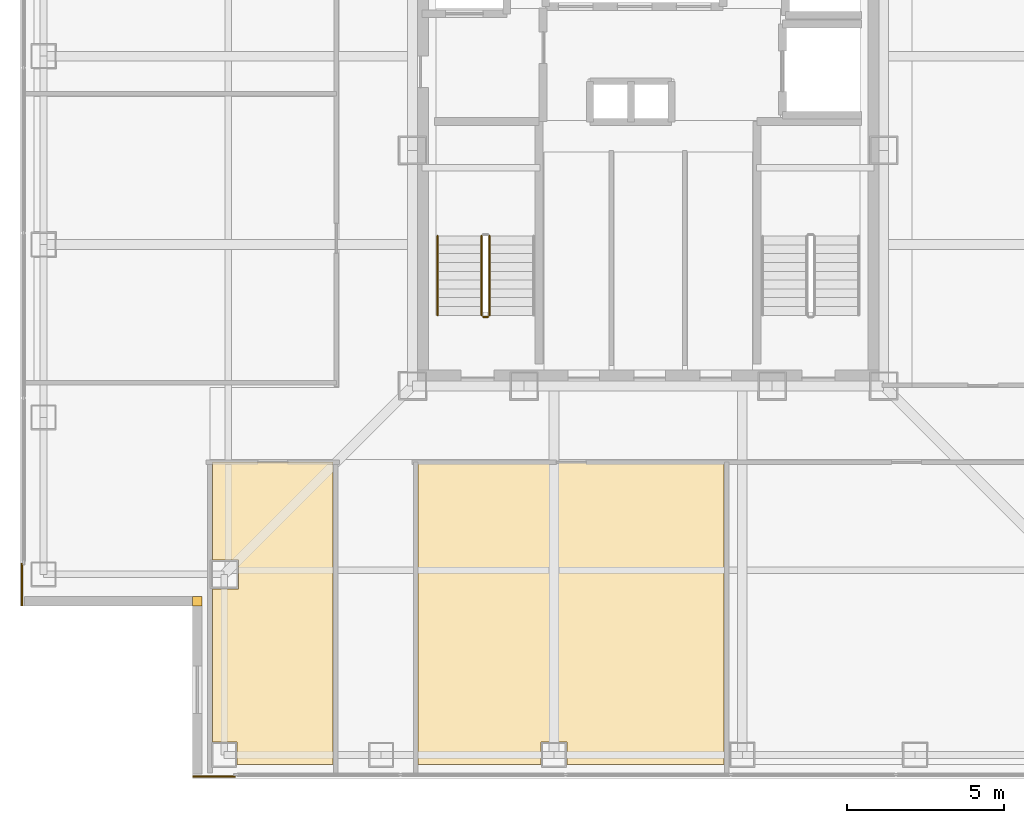
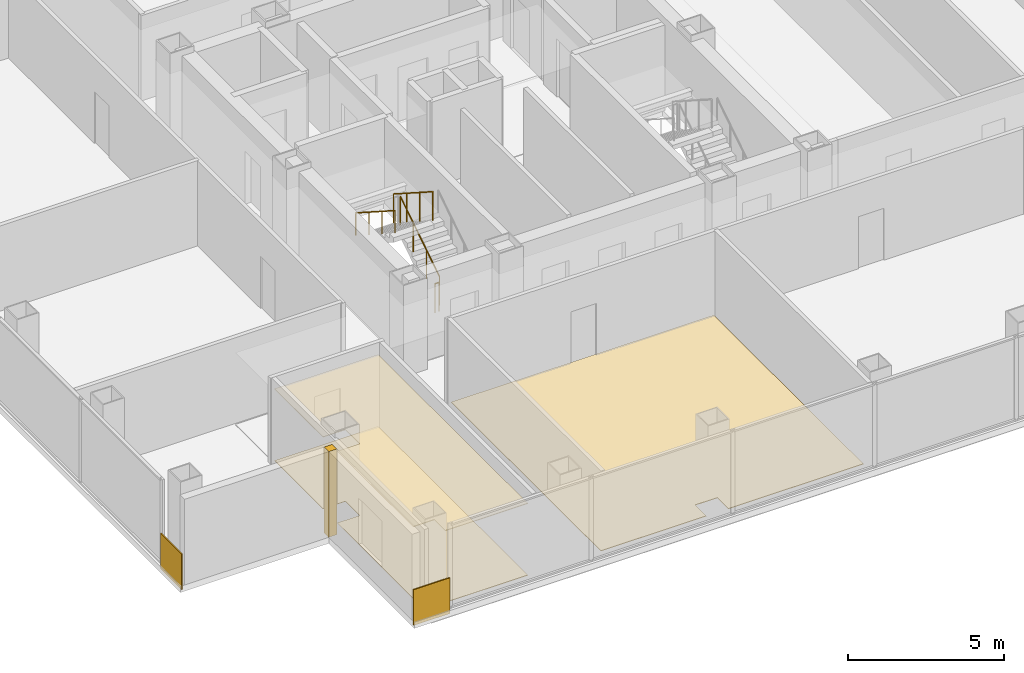
# One storey, part 13 of 18: 6 coverings, 4 railings.
"""IFC4 building model written with IfcOpenShell, lengths in metres."""

from ifc_helpers import new_model, si_unit, direction, frame, frame_2d, origin, origin_2d, place, context, subcontext, project, spatial, polyline, rectangle, circle, outline, extrude, material, layer, layer_set, type_object, element, save


model = new_model("IFC4")

# Units and contexts
model_context = context("Model", 3, precision=1e-05, world=origin(), true_north=direction((0.0, 1.0)))
body_context = subcontext(model_context, "Body", "Model", "MODEL_VIEW")
ifc_project = project(units=[si_unit("LENGTHUNIT", "METRE"), si_unit("AREAUNIT", "SQUARE_METRE"), si_unit("VOLUMEUNIT", "CUBIC_METRE"), si_unit("PLANEANGLEUNIT", "RADIAN"), si_unit("MASSUNIT", "GRAM", prefix="KILO")], contexts=[model_context])

# Site, building, storey
site_placement = place(None, origin())
site = spatial("IfcSite", under=ifc_project, at=site_placement, CompositionType="ELEMENT")
building_placement = place(site_placement, origin())
building = spatial("IfcBuilding", under=site, at=building_placement, Name="Trevonay Congress Spire", CompositionType="ELEMENT")
storey_placement = place(building_placement, frame((0.0, 0.0, 220.199951171875)))
storey = spatial("IfcBuildingStorey", under=building, at=storey_placement, Name="L57", CompositionType="ELEMENT", Elevation=220.199951171875)

# Coverings
ifc_material_1 = material(Name="Acoustic Mineral Fibre Board", Category="gypsum")
ifc_layer_1 = layer(ifc_material_1, 0.02490234375, Name="Acoustic Mineral Fibre Board")
ifc_layer_set_1 = layer_set([ifc_layer_1], Name="Acoustic Mineral Fibre Board")
covering_type_1 = type_object("IfcCoveringType", Name="COV-CEIL-ACOUSTIC", PredefinedType="CEILING", material=ifc_layer_set_1)
covering_1_placement = place(storey_placement, frame((0.0, 0.0, 2.81005859375)))
element("IfcCovering", 1, at=covering_1_placement, inside=storey, type_object=covering_type_1, Name="L57 VIP Buyer Reception Salon acoustic suspended ceiling", PredefinedType="CEILING", context=body_context, shape_type="SweptSolid", body=[
    extrude(outline(polyline([(-13.8701171875, -9.929931640625), (-10.030029296875, -9.929931640625), (-10.030029296875, -19.550048828125), (-13.090087890625, -19.550048828125), (-13.090087890625, -18.840087890625), (-13.8701171875, -18.840087890625), (-13.8701171875, -13.9599609375), (-13.0400390625, -13.9599609375), (-13.0400390625, -13.0400390625), (-13.8701171875, -13.0400390625), (-13.8701171875, -9.929931640625)])), origin(), (0.0, 0.0, 1.0), 0.02490234375),
])
ifc_material_2 = material(Name="Polished Granite Floor Tile", Category="masonry")
ifc_layer_2 = layer(ifc_material_2, 0.02001953125, Name="Polished Granite Floor Tile")
ifc_layer_set_2 = layer_set([ifc_layer_2], Name="Polished Granite Floor Tile")
covering_type_2 = type_object("IfcCoveringType", Name="COV-FLOOR-STONE", PredefinedType="FLOORING", material=ifc_layer_set_2)
covering_2_placement = place(storey_placement, origin())
element("IfcCovering", 2, at=covering_2_placement, inside=storey, type_object=covering_type_2, Name="L57 Brazilian Design Flagship Showroom Shop floor finish", PredefinedType="FLOORING", context=body_context, shape_type="SweptSolid", body=[
    extrude(outline(polyline([(-7.320068359375, -19.550048828125), (-7.320068359375, -9.929931640625), (2.419921875, -9.929931640625), (2.419921875, -19.550048828125), (-2.590087890625, -19.550048828125), (-2.590087890625, -18.840087890625), (-3.409912109375, -18.840087890625), (-3.409912109375, -19.550048828125), (-7.320068359375, -19.550048828125)])), origin(), (0.0, 0.0, 1.0), 0.02001953125),
])
ifc_material_3 = material(Name="Engineered Oak Flooring", Category="wood")
ifc_layer_3 = layer(ifc_material_3, 0.01806640625, Name="Engineered Oak Flooring")
ifc_layer_set_3 = layer_set([ifc_layer_3], Name="Engineered Oak Flooring")
covering_type_3 = type_object("IfcCoveringType", Name="COV-FLOOR-TIMBER", PredefinedType="FLOORING", material=ifc_layer_set_3)
covering_3_placement = place(storey_placement, origin())
element("IfcCovering", 3, at=covering_3_placement, inside=storey, type_object=covering_type_3, Name="L57 VIP Buyer Reception Salon floor finish", PredefinedType="FLOORING", context=body_context, shape_type="SweptSolid", body=[
    extrude(outline(polyline([(-13.8701171875, -9.929931640625), (-10.030029296875, -9.929931640625), (-10.030029296875, -19.550048828125), (-13.090087890625, -19.550048828125), (-13.090087890625, -18.840087890625), (-13.8701171875, -18.840087890625), (-13.8701171875, -13.9599609375), (-13.0400390625, -13.9599609375), (-13.0400390625, -13.0400390625), (-13.8701171875, -13.0400390625), (-13.8701171875, -9.929931640625)])), origin(), (0.0, 0.0, 1.0), 0.01806640625),
])
ifc_material_4 = material(Name="Pale Anodised Aluminium EN AW-6063-T6", Category="aluminium")
ifc_layer_4 = layer(ifc_material_4, 0.0400390625, Name="Pale Anodised Aluminium EN AW-6063-T6")
ifc_layer_set_4 = layer_set([ifc_layer_4], Name="Pale Anodised Aluminium EN AW-6063-T6")
covering_type_4 = type_object("IfcCoveringType", Name="COV-SPANDREL-PALE-METAL", PredefinedType="CLADDING", material=ifc_layer_set_4)
covering_4_placement = place(storey_placement, origin())
element("IfcCovering", 4, at=covering_4_placement, inside=storey, type_object=covering_type_4, Name="L57 SW re-entrant notch corner closure trim", PredefinedType="CLADDING", context=body_context, shape_type="SweptSolid", body=[
    extrude(outline(polyline([(-14.5, -14.5), (-14.199951171875, -14.5), (-14.199951171875, -14.199951171875), (-14.5, -14.199951171875), (-14.5, -14.5)])), origin(), (0.0, 0.0, 1.0), 3.360107421875),
])
for number, where, z_axis, x_axis, name in (
    (5, (-19.93994140625, -13.14990234375, -0.14990234375), (0.0, 0.0, 1.0), (0.0, -1.0, 0.0), "L57 SW corner pier spandrel cladding 1"),
    (6, (-13.14990234375, -19.93994140625, -0.14990234375), (0.0, 0.0, 1.0), (-1.0, 0.0, 0.0), "L57 SW corner pier spandrel cladding 2"),
):
    element("IfcCovering", number, at=place(storey_placement, frame(where, z_axis=z_axis, x_axis=x_axis)), inside=storey, type_object=covering_type_4, Name=name, PredefinedType="CLADDING", context=body_context, shape_type="SweptSolid", body=[
        extrude(rectangle(XDim=1.35009765625, YDim=0.0400390625, at=frame_2d((0.675048828125, 0.0))), origin(), (0.0, 0.0, 1.0), 1.39990234375),
    ])

# Railings
railing_type_1 = type_object("IfcRailingType", Name="RAL-STAIR-GUARD-110", PredefinedType="GUARDRAIL", material=ifc_material_4)
railing_1_placement = place(storey_placement, frame((-5.050048828125, -5.25, 0.179931640625)))
element("IfcRailing", 7, at=railing_1_placement, inside=storey, type_object=railing_type_1, Name="L57 ST-1 stair guard 1", PredefinedType="GUARDRAIL", context=body_context, shape_type="SweptSolid", body=[
    extrude(circle(Radius=0.02392578125, at=origin_2d()), frame((0.0, 0.0, 1.1259765625), z_axis=(0.0, 0.841162588446, 0.540782303519), x_axis=(-1.0, 0.0, 0.0)), (0.0, 0.0, 1.0), 2.995849609375),
    extrude(circle(Radius=0.02099609375, at=origin_2d()), origin(), (0.0, 0.0, 1.0), 1.101806640625),
    extrude(circle(Radius=0.02099609375, at=origin_2d()), frame((0.0, 0.840087890625, 0.5400390625)), (0.0, 0.0, 1.0), 1.101806640625),
    extrude(circle(Radius=0.02099609375, at=origin_2d()), frame((0.0, 1.679931640625, 1.080078125)), (0.0, 0.0, 1.0), 1.101806640625),
    extrude(circle(Radius=0.02099609375, at=origin_2d()), frame((0.0, 2.52001953125, 1.6201171875)), (0.0, 0.0, 1.0), 1.101806640625),
])
railing_2_placement = place(storey_placement, frame((-5.300048828125, -2.72998046875, 1.97998046875)))
element("IfcRailing", 8, at=railing_2_placement, inside=storey, type_object=railing_type_1, Name="L57 ST-1 stair guard 3", PredefinedType="GUARDRAIL", context=body_context, shape_type="SweptSolid", body=[
    extrude(circle(Radius=0.02392578125, at=origin_2d()), frame((0.0, 0.0, 1.1259765625), z_axis=(0.0, -0.841162588446, 0.540782303519), x_axis=(1.0, 0.0, 0.0)), (0.0, 0.0, 1.0), 2.995849609375),
    extrude(circle(Radius=0.02099609375, at=origin_2d()), origin(), (0.0, 0.0, 1.0), 1.101806640625),
    extrude(circle(Radius=0.02099609375, at=origin_2d()), frame((0.0, -0.840087890625, 0.5400390625)), (0.0, 0.0, 1.0), 1.101806640625),
    extrude(circle(Radius=0.02099609375, at=origin_2d()), frame((0.0, -1.679931640625, 1.080078125)), (0.0, 0.0, 1.0), 1.101806640625),
    extrude(circle(Radius=0.02099609375, at=origin_2d()), frame((0.0, -2.52001953125, 1.6201171875)), (0.0, 0.0, 1.0), 1.101806640625),
])
railing_3_placement = place(storey_placement, frame((-5.10009765625, -5.300048828125, 0.0)))
element("IfcRailing", 9, at=railing_3_placement, inside=storey, type_object=railing_type_1, Name="L57 ST-1 stair guard 4", PredefinedType="GUARDRAIL", context=body_context, shape_type="SweptSolid", body=[
    extrude(circle(Radius=0.02392578125, at=origin_2d()), frame((0.0, 0.0, 1.1259765625), z_axis=(-1.0, 0.0, 0.0), x_axis=(0.0, -1.0, 0.0)), (0.0, 0.0, 1.0), 0.14990234375),
    extrude(circle(Radius=0.02099609375, at=origin_2d()), origin(), (0.0, 0.0, 1.0), 1.101806640625),
    extrude(circle(Radius=0.02099609375, at=origin_2d()), frame((-0.14990234375, 0.0, 0.0)), (0.0, 0.0, 1.0), 1.101806640625),
])
railing_type_2 = type_object("IfcRailingType", Name="RAL-STAIR-HANDRAIL", PredefinedType="HANDRAIL", material=ifc_material_4)
railing_4_placement = place(storey_placement, frame((-6.699951171875, -2.72998046875, 1.97998046875)))
element("IfcRailing", 10, at=railing_4_placement, inside=storey, type_object=railing_type_2, Name="L57 ST-1 stair handrail 2", PredefinedType="HANDRAIL", context=body_context, shape_type="SweptSolid", body=[
    extrude(circle(Radius=0.02392578125, at=origin_2d()), frame((0.0, 0.0, 0.8759765625), z_axis=(0.0, -0.841162588446, 0.540782303519), x_axis=(1.0, 0.0, 0.0)), (0.0, 0.0, 1.0), 2.995849609375),
    extrude(circle(Radius=0.02099609375, at=origin_2d()), origin(), (0.0, 0.0, 1.0), 0.851806640625),
    extrude(circle(Radius=0.02099609375, at=origin_2d()), frame((0.0, -0.840087890625, 0.5400390625)), (0.0, 0.0, 1.0), 0.851806640625),
    extrude(circle(Radius=0.02099609375, at=origin_2d()), frame((0.0, -1.679931640625, 1.080078125)), (0.0, 0.0, 1.0), 0.851806640625),
    extrude(circle(Radius=0.02099609375, at=origin_2d()), frame((0.0, -2.52001953125, 1.6201171875)), (0.0, 0.0, 1.0), 0.851806640625),
])

save(model, "model.ifc")
